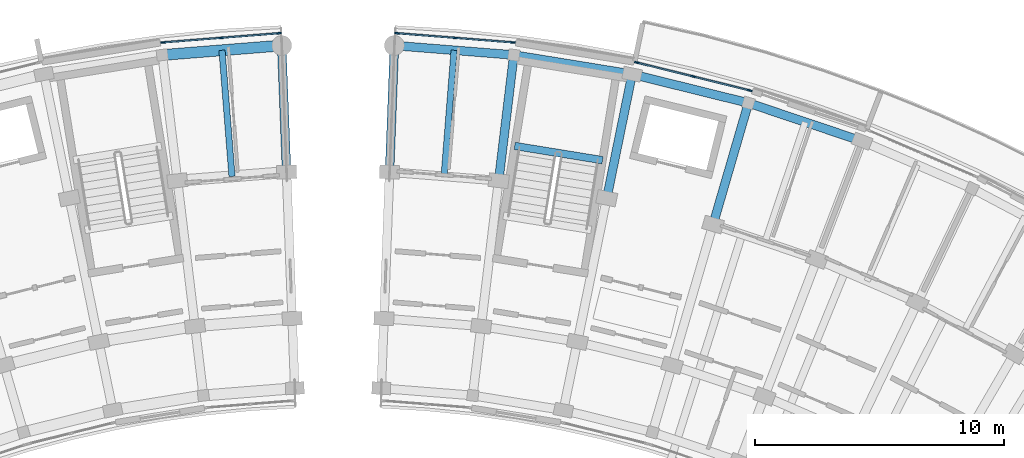
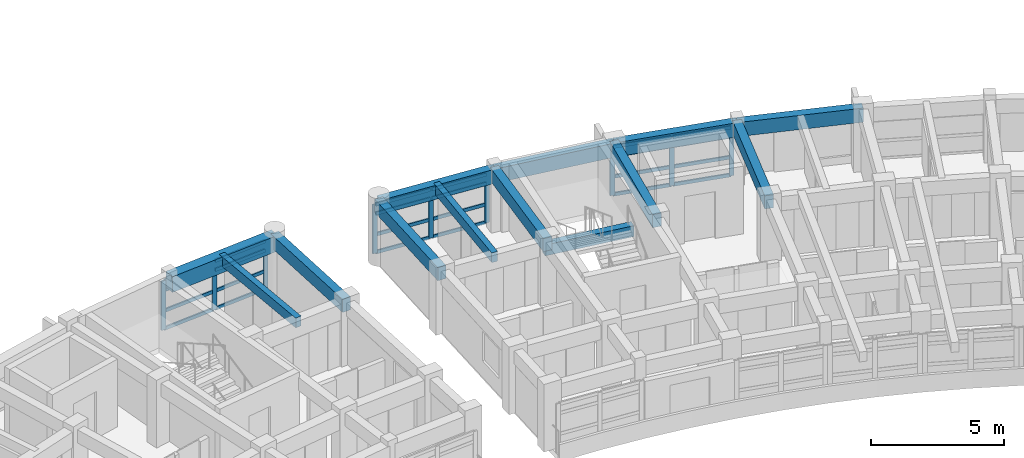
# One storey, part 8 of 54: 33 members, 13 beams, 3 elements without a shape of their own.
"""IFC4 building model written with IfcOpenShell, lengths in metres."""

from ifc_helpers import new_model, si_unit, direction, frame, origin, origin_2d, place, context, subcontext, project, spatial, rectangle, extrude, material, material_profile, profile_set, type_object, element, aggregate, save


model = new_model("IFC4")

# Units and contexts
model_context = context("Model", 3, precision=1e-05, world=origin(), true_north=direction((0.0, 1.0)))
body_context = subcontext(model_context, "Body", "Model", "MODEL_VIEW")
ifc_project = project(units=[si_unit("LENGTHUNIT", "METRE"), si_unit("AREAUNIT", "SQUARE_METRE"), si_unit("VOLUMEUNIT", "CUBIC_METRE"), si_unit("PLANEANGLEUNIT", "RADIAN"), si_unit("MASSUNIT", "GRAM", prefix="KILO")], contexts=[model_context])

# Site, building, storey
site_placement = place(None, origin())
site = spatial("IfcSite", under=ifc_project, at=site_placement, CompositionType="ELEMENT")
building_placement = place(site_placement, origin())
building = spatial("IfcBuilding", under=site, at=building_placement, Name="Zimvara Arc Housing Community", CompositionType="ELEMENT")
storey_placement = place(building_placement, frame((0.0, 0.0, 20.5)))
storey = spatial("IfcBuildingStorey", under=building, at=storey_placement, Name="L06", CompositionType="ELEMENT", Elevation=20.5)

# Beams
ifc_material_1 = material(Name="Concrete C40/50", Category="concrete")
ifc_material_profile_1 = material_profile(ifc_material_1, rectangle(XDim=0.25, YDim=0.449951171875, at=origin_2d()), Name="RC 250x450")
ifc_profile_set_1 = profile_set([ifc_material_profile_1], Name="Concrete C40/50")
beam_type_1 = type_object("IfcBeamType", Name="BM-RC-250x450", PredefinedType="JOIST", material=ifc_profile_set_1)
for number, where, z_axis, x_axis, name in (
    (1, (40.7451171875, 98.08642578125, 2.635009765625), (-0.079171686291, 0.99686099537, 0.0), (-0.99686099537, -0.079171686291, 0.0), "bm:blkA:L06:joist:b9"),
    (2, (49.2548828125, 98.08642578125, 2.635009765625), (0.079171686291, 0.99686099537, 0.0), (-0.99686099537, 0.079171686291, 0.0), "bm:blkB:L06:joist:b0"),
):
    element("IfcBeam", number, at=place(storey_placement, frame(where, z_axis=z_axis, x_axis=x_axis)), inside=storey, type_object=beam_type_1, Name=name, PredefinedType="JOIST", context=body_context, shape_type="SweptSolid", body=[
        extrude(rectangle(XDim=0.25, YDim=0.449951171875, at=origin_2d()), origin(), (0.0, 0.0, 1.0), 5.07568359375),
    ])
ifc_material_2 = material(Name="Concrete C40/50", Category="concrete")
ifc_material_profile_2 = material_profile(ifc_material_2, rectangle(XDim=0.300048828125, YDim=0.5, at=origin_2d()), Name="RC 300x500")
ifc_profile_set_2 = profile_set([ifc_material_profile_2], Name="Concrete C40/50")
beam_type_2 = type_object("IfcBeamType", Name="BM-RC-300x500", PredefinedType="BEAM", material=ifc_profile_set_2)
beam_1_placement = place(storey_placement, frame((55.612060546875, 98.7353515625, 1.300048828125), z_axis=(-0.987080057935, 0.160227835371, 0.0), x_axis=(-0.160227835371, -0.987080057935, 0.0)))
element("IfcBeam", 3, at=beam_1_placement, inside=storey, type_object=beam_type_2, Name="bm:stair_trim:ST-B1:L06:mid", PredefinedType="BEAM", context=body_context, shape_type="SweptSolid", body=[
    extrude(rectangle(XDim=0.300048828125, YDim=0.5, at=origin_2d()), origin(), (0.0, 0.0, 1.0), 3.570068359375),
])
ifc_material_3 = material(Name="Concrete C40/50", Category="concrete")
ifc_material_profile_3 = material_profile(ifc_material_3, rectangle(XDim=0.35009765625, YDim=0.60009765625, at=origin_2d()), Name="RC 350x600")
ifc_profile_set_3 = profile_set([ifc_material_profile_3], Name="Concrete C40/50")
beam_type_3 = type_object("IfcBeamType", Name="BM-RC-350x600", PredefinedType="BEAM", material=ifc_profile_set_3)
for number, where, z_axis, x_axis, name in (
    (4, (42.934814453125, 98.26025390625, 2.56005859375), (-0.038398054907, 0.999262522753, 0.0), (-0.999262522753, -0.038398054907, 0.0), "bm:blkA:L06:rad:b10:r23"),
    (5, (47.065185546875, 98.26025390625, 2.56005859375), (0.038398054907, 0.999262522753, 0.0), (-0.999262522753, 0.038398054907, 0.0), "bm:blkB:L06:rad:b0:r23"),
    (6, (51.44482421875, 97.91259765625, 2.56005859375), (0.119762990499, 0.99280251113, 0.0), (-0.99280251113, 0.119762990499, 0.0), "bm:blkB:L06:rad:b1:r23"),
):
    element("IfcBeam", number, at=place(storey_placement, frame(where, z_axis=z_axis, x_axis=x_axis)), inside=storey, type_object=beam_type_3, Name=name, PredefinedType="BEAM", context=body_context, shape_type="SweptSolid", body=[
        extrude(rectangle(XDim=0.35009765625, YDim=0.60009765625, at=origin_2d()), origin(), (0.0, 0.0, 1.0), 5.080078125),
    ])
for number, where, z_axis, x_axis, name in (
    (7, (55.78125, 97.208740234375, 2.56005859375), (0.200411962389, 0.97971171542, 0.0), (-0.97971171542, 0.200411962389, 0.0), "bm:blkB:L06:rad:b2:r23"),
    (8, (60.0458984375, 96.1533203125, 2.56005859375), (0.279662254096, 0.960098444762, 0.0), (-0.960098444762, 0.279662254096, 0.0), "bm:blkB:L06:rad:b3:r23"),
):
    element("IfcBeam", number, at=place(storey_placement, frame(where, z_axis=z_axis, x_axis=x_axis)), inside=storey, type_object=beam_type_3, Name=name, PredefinedType="BEAM", context=body_context, shape_type="SweptSolid", body=[
        extrude(rectangle(XDim=0.35009765625, YDim=0.60009765625, at=origin_2d()), origin(), (0.0, 0.0, 1.0), 5.079833984375),
    ])
ifc_material_4 = material(Name="Concrete C40/50", Category="concrete")
ifc_material_profile_4 = material_profile(ifc_material_4, rectangle(XDim=0.35009765625, YDim=0.64990234375, at=origin_2d()), Name="RC 350x650")
ifc_profile_set_4 = profile_set([ifc_material_profile_4], Name="Concrete C40/50")
beam_type_4 = type_object("IfcBeamType", Name="BM-RC-350x650", PredefinedType="BEAM", material=ifc_profile_set_4)
beam_2_placement = place(storey_placement, frame((47.26025390625, 103.336669921875, 2.534912109375), z_axis=(0.996861768207, -0.0791619548, 0.0), x_axis=(0.0791619548, 0.996861768207, 0.0)))
element("IfcBeam", 9, at=beam_2_placement, inside=storey, type_object=beam_type_4, Name="bm:blkB:L06:chord:r3:b0", PredefinedType="BEAM", context=body_context, shape_type="SweptSolid", body=[
    extrude(rectangle(XDim=0.35009765625, YDim=0.64990234375, at=origin_2d()), origin(), (0.0, 0.0, 1.0), 4.80810546875),
])
beam_3_placement = place(storey_placement, frame((52.05322265625, 102.9560546875, 2.534912109375), z_axis=(0.987076839731, -0.160247659784, 0.0), x_axis=(0.160247659784, 0.987076839731, 0.0)))
element("IfcBeam", 10, at=beam_3_placement, inside=storey, type_object=beam_type_4, Name="bm:blkB:L06:chord:r3:b1", PredefinedType="BEAM", context=body_context, shape_type="SweptSolid", body=[
    extrude(rectangle(XDim=0.35009765625, YDim=0.64990234375, at=origin_2d()), origin(), (0.0, 0.0, 1.0), 4.808349609375),
])
beam_4_placement = place(storey_placement, frame((56.79931640625, 102.185546875, 2.534912109375), z_axis=(0.970716235341, -0.240229037474, 0.0), x_axis=(0.240229037474, 0.970716235341, 0.0)))
element("IfcBeam", 11, at=beam_4_placement, inside=storey, type_object=beam_type_4, Name="bm:blkB:L06:chord:r3:b2", PredefinedType="BEAM", context=body_context, shape_type="SweptSolid", body=[
    extrude(rectangle(XDim=0.35009765625, YDim=0.64990234375, at=origin_2d()), origin(), (0.0, 0.0, 1.0), 4.80810546875),
])
beam_5_placement = place(storey_placement, frame((61.466552734375, 101.030517578125, 2.534912109375), z_axis=(0.947877948153, -0.31863363822, 0.0), x_axis=(0.31863363822, 0.947877948153, 0.0)))
element("IfcBeam", 12, at=beam_5_placement, inside=storey, type_object=beam_type_4, Name="bm:blkB:L06:chord:r3:b3", PredefinedType="BEAM", context=body_context, shape_type="SweptSolid", body=[
    extrude(rectangle(XDim=0.35009765625, YDim=0.64990234375, at=origin_2d()), origin(), (0.0, 0.0, 1.0), 4.807861328125),
])
ifc_material_5 = material(Name="Concrete C40/50", Category="concrete")
ifc_material_profile_5 = material_profile(ifc_material_5, rectangle(XDim=0.43994140625, YDim=0.719970703125, at=origin_2d()), Name="RC 440x720")
ifc_profile_set_5 = profile_set([ifc_material_profile_5], Name="Concrete C40/50")
beam_type_5 = type_object("IfcBeamType", Name="BM-RC-440x720", PredefinedType="BEAM", material=ifc_profile_set_5)
beam_6_placement = place(storey_placement, frame((37.94677734375, 102.9560546875, 2.5), z_axis=(0.996861768207, 0.0791619548, 0.0), x_axis=(-0.0791619548, 0.996861768207, 0.0)))
element("IfcBeam", 13, at=beam_6_placement, inside=storey, type_object=beam_type_5, Name="bm:blkA:L06:chord:r3:b9", PredefinedType="BEAM", context=body_context, shape_type="SweptSolid", body=[
    extrude(rectangle(XDim=0.43994140625, YDim=0.719970703125, at=origin_2d()), origin(), (0.0, 0.0, 1.0), 4.80810546875),
])

# Curtain wall, members
ifc_material_6 = material(Name="Anodised Aluminium AW-6063", Category="aluminium")
curtain_wall_type_1 = type_object("IfcCurtainWallType", Name="CW-SYS-05", PredefinedType="USERDEFINED", material=ifc_material_6)
curtain_wall_1_placement = place(storey_placement, origin())
curtain_wall_1 = element("IfcCurtainWall", 14, at=curtain_wall_1_placement, inside=storey, type_object=curtain_wall_type_1, Name="cw:blkA:L06:out:b9", ObjectType="CURTAIN WALL", PredefinedType="USERDEFINED")
ifc_material_7 = material(Name="Anodised Aluminium AW-6063", Category="aluminium")
ifc_material_profile_6 = material_profile(ifc_material_7, rectangle(XDim=0.06494140625, YDim=0.195068359375, at=origin_2d()), Name="ALU 65x195")
ifc_profile_set_6 = profile_set([ifc_material_profile_6], Name="Anodised Aluminium AW-6063")
member_type_1 = type_object("IfcMemberType", Name="CWM-65x180", PredefinedType="MULLION", material=ifc_profile_set_6)
member_1_placement = place(storey_placement, frame((37.97900390625, 103.459716796875, 0.0), z_axis=(0.0, 0.0, 1.0), x_axis=(-0.079153759607, 0.996862418963, 0.0)))
member_1 = element("IfcMember", 15, at=member_1_placement, type_object=member_type_1, Name="CW05 mullion 1", PredefinedType="MULLION", context=body_context, shape_type="SweptSolid", body=[
    extrude(rectangle(XDim=0.06494140625, YDim=0.195068359375, at=origin_2d()), origin(), (0.0, 0.0, 1.0), 2.25),
])
member_2_placement = place(storey_placement, frame((40.3037109375, 103.644287109375, 0.0), z_axis=(0.0, 0.0, 1.0), x_axis=(-0.079153759607, 0.996862418963, 0.0)))
member_2 = element("IfcMember", 16, at=member_2_placement, type_object=member_type_1, Name="CW05 mullion 2", PredefinedType="MULLION", context=body_context, shape_type="SweptSolid", body=[
    extrude(rectangle(XDim=0.06494140625, YDim=0.195068359375, at=origin_2d()), origin(), (0.0, 0.0, 1.0), 2.25),
])
member_3_placement = place(storey_placement, frame((42.62841796875, 103.828857421875, 0.0), z_axis=(0.0, 0.0, 1.0), x_axis=(-0.079153759607, 0.996862418963, 0.0)))
member_3 = element("IfcMember", 17, at=member_3_placement, type_object=member_type_1, Name="CW05 mullion 3", PredefinedType="MULLION", context=body_context, shape_type="SweptSolid", body=[
    extrude(rectangle(XDim=0.06494140625, YDim=0.195068359375, at=origin_2d()), origin(), (0.0, 0.0, 1.0), 2.25),
])

ifc_material_8 = material(Name="Anodised Aluminium AW-6063", Category="aluminium")
curtain_wall_type_2 = type_object("IfcCurtainWallType", Name="CW-SYS-01", PredefinedType="USERDEFINED", material=ifc_material_8)
curtain_wall_2_placement = place(storey_placement, origin())
curtain_wall_2 = element("IfcCurtainWall", 18, at=curtain_wall_2_placement, inside=storey, type_object=curtain_wall_type_2, Name="cw:blkB:L06:out:b0", ObjectType="CURTAIN WALL", PredefinedType="USERDEFINED")
member_4_placement = place(storey_placement, frame((47.37158203125, 103.828857421875, 0.0), z_axis=(0.0, 0.0, 1.0), x_axis=(0.079153759607, 0.996862418963, 0.0)))
member_4 = element("IfcMember", 19, at=member_4_placement, type_object=member_type_1, Name="CW01 mullion 1", PredefinedType="MULLION", context=body_context, shape_type="SweptSolid", body=[
    extrude(rectangle(XDim=0.06494140625, YDim=0.195068359375, at=origin_2d()), origin(), (0.0, 0.0, 1.0), 2.25),
])
member_5_placement = place(storey_placement, frame((49.6962890625, 103.644287109375, 0.0), z_axis=(0.0, 0.0, 1.0), x_axis=(0.079153759607, 0.996862418963, 0.0)))
member_5 = element("IfcMember", 20, at=member_5_placement, type_object=member_type_1, Name="CW01 mullion 2", PredefinedType="MULLION", context=body_context, shape_type="SweptSolid", body=[
    extrude(rectangle(XDim=0.06494140625, YDim=0.195068359375, at=origin_2d()), origin(), (0.0, 0.0, 1.0), 2.25),
])
member_6_placement = place(storey_placement, frame((52.02099609375, 103.459716796875, 0.0), z_axis=(0.0, 0.0, 1.0), x_axis=(0.079153759607, 0.996862418963, 0.0)))
member_6 = element("IfcMember", 21, at=member_6_placement, type_object=member_type_1, Name="CW01 mullion 3", PredefinedType="MULLION", context=body_context, shape_type="SweptSolid", body=[
    extrude(rectangle(XDim=0.06494140625, YDim=0.195068359375, at=origin_2d()), origin(), (0.0, 0.0, 1.0), 2.25),
])

ifc_material_9 = material(Name="Anodised Aluminium AW-6063", Category="aluminium")
curtain_wall_type_3 = type_object("IfcCurtainWallType", Name="CW-SYS-03", PredefinedType="USERDEFINED", material=ifc_material_9)
curtain_wall_3_placement = place(storey_placement, origin())
curtain_wall_3 = element("IfcCurtainWall", 22, at=curtain_wall_3_placement, inside=storey, type_object=curtain_wall_type_3, Name="cw:blkB:L06:out:b2", ObjectType="CURTAIN WALL", PredefinedType="USERDEFINED")
member_7_placement = place(storey_placement, frame((56.9892578125, 102.6533203125, 0.0), z_axis=(0.0, 0.0, 1.0), x_axis=(0.240229711131, 0.970716068627, 0.0)))
member_7 = element("IfcMember", 23, at=member_7_placement, type_object=member_type_1, Name="CW03 mullion 1", PredefinedType="MULLION", context=body_context, shape_type="SweptSolid", body=[
    extrude(rectangle(XDim=0.06494140625, YDim=0.195068359375, at=origin_2d()), origin(), (0.0, 0.0, 1.0), 2.25),
])
member_8_placement = place(storey_placement, frame((59.2529296875, 102.093017578125, 0.0), z_axis=(0.0, 0.0, 1.0), x_axis=(0.240229711131, 0.970716068627, 0.0)))
member_8 = element("IfcMember", 24, at=member_8_placement, type_object=member_type_1, Name="CW03 mullion 2", PredefinedType="MULLION", context=body_context, shape_type="SweptSolid", body=[
    extrude(rectangle(XDim=0.06494140625, YDim=0.195068359375, at=origin_2d()), origin(), (0.0, 0.0, 1.0), 2.25),
])
member_9_placement = place(storey_placement, frame((61.5166015625, 101.532958984375, 0.0), z_axis=(0.0, 0.0, 1.0), x_axis=(0.240229711131, 0.970716068627, 0.0)))
member_9 = element("IfcMember", 25, at=member_9_placement, type_object=member_type_1, Name="CW03 mullion 3", PredefinedType="MULLION", context=body_context, shape_type="SweptSolid", body=[
    extrude(rectangle(XDim=0.06494140625, YDim=0.195068359375, at=origin_2d()), origin(), (0.0, 0.0, 1.0), 2.25),
])

# Member
ifc_material_10 = material(Name="Anodised Aluminium AW-6063", Category="aluminium")
ifc_material_profile_7 = material_profile(ifc_material_10, rectangle(XDim=0.06494140625, YDim=0.155029296875, at=origin_2d()), Name="ALU 65x155")
ifc_profile_set_7 = profile_set([ifc_material_profile_7], Name="Anodised Aluminium AW-6063")
member_type_2 = type_object("IfcMemberType", Name="CWT-65x140", PredefinedType="USERDEFINED", material=ifc_profile_set_7)
member_10_placement = place(storey_placement, frame((38.011474609375, 103.46240234375, 0.032470703125), z_axis=(0.996862021022, 0.079158771116, 0.0), x_axis=(-0.079158771116, 0.996862021022, 0.0)))
member_10 = element("IfcMember", 26, at=member_10_placement, type_object=member_type_2, Name="CW05 transom 1.1", ObjectType="TRANSOM", PredefinedType="USERDEFINED", context=body_context, shape_type="SweptSolid", body=[
    extrude(rectangle(XDim=0.06494140625, YDim=0.155029296875, at=origin_2d()), origin(), (0.0, 0.0, 1.0), 2.266845703125),
])

member_11_placement = place(storey_placement, frame((38.011474609375, 103.46240234375, 0.85009765625), z_axis=(0.996862021022, 0.079158771116, 0.0), x_axis=(-0.079158771116, 0.996862021022, 0.0)))
member_11 = element("IfcMember", 27, at=member_11_placement, type_object=member_type_2, Name="CW05 transom 1.2", ObjectType="TRANSOM", PredefinedType="USERDEFINED", context=body_context, shape_type="SweptSolid", body=[
    extrude(rectangle(XDim=0.06494140625, YDim=0.155029296875, at=origin_2d()), origin(), (0.0, 0.0, 1.0), 2.266845703125),
])

member_12_placement = place(storey_placement, frame((38.011474609375, 103.46240234375, 1.800048828125), z_axis=(0.996862021022, 0.079158771116, 0.0), x_axis=(-0.079158771116, 0.996862021022, 0.0)))
member_12 = element("IfcMember", 28, at=member_12_placement, type_object=member_type_2, Name="CW05 transom 1.3", ObjectType="TRANSOM", PredefinedType="USERDEFINED", context=body_context, shape_type="SweptSolid", body=[
    extrude(rectangle(XDim=0.06494140625, YDim=0.155029296875, at=origin_2d()), origin(), (0.0, 0.0, 1.0), 2.266845703125),
])

member_13_placement = place(storey_placement, frame((38.011474609375, 103.46240234375, 2.217529296875), z_axis=(0.996862021022, 0.079158771116, 0.0), x_axis=(-0.079158771116, 0.996862021022, 0.0)))
member_13 = element("IfcMember", 29, at=member_13_placement, type_object=member_type_2, Name="CW05 transom 1.4", ObjectType="TRANSOM", PredefinedType="USERDEFINED", context=body_context, shape_type="SweptSolid", body=[
    extrude(rectangle(XDim=0.06494140625, YDim=0.155029296875, at=origin_2d()), origin(), (0.0, 0.0, 1.0), 2.266845703125),
])

member_14_placement = place(storey_placement, frame((40.336181640625, 103.64697265625, 0.032470703125), z_axis=(0.996862021022, 0.079158771116, 0.0), x_axis=(-0.079158771116, 0.996862021022, 0.0)))
member_14 = element("IfcMember", 30, at=member_14_placement, type_object=member_type_2, Name="CW05 transom 2.1", ObjectType="TRANSOM", PredefinedType="USERDEFINED", context=body_context, shape_type="SweptSolid", body=[
    extrude(rectangle(XDim=0.06494140625, YDim=0.155029296875, at=origin_2d()), origin(), (0.0, 0.0, 1.0), 2.266845703125),
])

member_15_placement = place(storey_placement, frame((40.336181640625, 103.64697265625, 0.85009765625), z_axis=(0.996862021022, 0.079158771116, 0.0), x_axis=(-0.079158771116, 0.996862021022, 0.0)))
member_15 = element("IfcMember", 31, at=member_15_placement, type_object=member_type_2, Name="CW05 transom 2.2", ObjectType="TRANSOM", PredefinedType="USERDEFINED", context=body_context, shape_type="SweptSolid", body=[
    extrude(rectangle(XDim=0.06494140625, YDim=0.155029296875, at=origin_2d()), origin(), (0.0, 0.0, 1.0), 2.266845703125),
])

member_16_placement = place(storey_placement, frame((40.336181640625, 103.64697265625, 1.800048828125), z_axis=(0.996862021022, 0.079158771116, 0.0), x_axis=(-0.079158771116, 0.996862021022, 0.0)))
member_16 = element("IfcMember", 32, at=member_16_placement, type_object=member_type_2, Name="CW05 transom 2.3", ObjectType="TRANSOM", PredefinedType="USERDEFINED", context=body_context, shape_type="SweptSolid", body=[
    extrude(rectangle(XDim=0.06494140625, YDim=0.155029296875, at=origin_2d()), origin(), (0.0, 0.0, 1.0), 2.266845703125),
])

member_17_placement = place(storey_placement, frame((40.336181640625, 103.64697265625, 2.217529296875), z_axis=(0.996862021022, 0.079158771116, 0.0), x_axis=(-0.079158771116, 0.996862021022, 0.0)))
member_17 = element("IfcMember", 33, at=member_17_placement, type_object=member_type_2, Name="CW05 transom 2.4", ObjectType="TRANSOM", PredefinedType="USERDEFINED", context=body_context, shape_type="SweptSolid", body=[
    extrude(rectangle(XDim=0.06494140625, YDim=0.155029296875, at=origin_2d()), origin(), (0.0, 0.0, 1.0), 2.266845703125),
])

aggregate(curtain_wall_1, [member_1, member_2, member_3, member_10, member_11, member_12, member_13, member_14, member_15, member_16, member_17])

member_18_placement = place(storey_placement, frame((47.404052734375, 103.826416015625, 0.032470703125), z_axis=(0.996862021022, -0.079158771116, 0.0), x_axis=(0.079158771116, 0.996862021022, 0.0)))
member_18 = element("IfcMember", 34, at=member_18_placement, type_object=member_type_2, Name="CW01 transom 1.1", ObjectType="TRANSOM", PredefinedType="USERDEFINED", context=body_context, shape_type="SweptSolid", body=[
    extrude(rectangle(XDim=0.06494140625, YDim=0.155029296875, at=origin_2d()), origin(), (0.0, 0.0, 1.0), 2.266845703125),
])

member_19_placement = place(storey_placement, frame((47.404052734375, 103.826416015625, 0.85009765625), z_axis=(0.996862021022, -0.079158771116, 0.0), x_axis=(0.079158771116, 0.996862021022, 0.0)))
member_19 = element("IfcMember", 35, at=member_19_placement, type_object=member_type_2, Name="CW01 transom 1.2", ObjectType="TRANSOM", PredefinedType="USERDEFINED", context=body_context, shape_type="SweptSolid", body=[
    extrude(rectangle(XDim=0.06494140625, YDim=0.155029296875, at=origin_2d()), origin(), (0.0, 0.0, 1.0), 2.266845703125),
])

member_20_placement = place(storey_placement, frame((47.404052734375, 103.826416015625, 1.800048828125), z_axis=(0.996862021022, -0.079158771116, 0.0), x_axis=(0.079158771116, 0.996862021022, 0.0)))
member_20 = element("IfcMember", 36, at=member_20_placement, type_object=member_type_2, Name="CW01 transom 1.3", ObjectType="TRANSOM", PredefinedType="USERDEFINED", context=body_context, shape_type="SweptSolid", body=[
    extrude(rectangle(XDim=0.06494140625, YDim=0.155029296875, at=origin_2d()), origin(), (0.0, 0.0, 1.0), 2.266845703125),
])

member_21_placement = place(storey_placement, frame((47.404052734375, 103.826416015625, 2.217529296875), z_axis=(0.996862021022, -0.079158771116, 0.0), x_axis=(0.079158771116, 0.996862021022, 0.0)))
member_21 = element("IfcMember", 37, at=member_21_placement, type_object=member_type_2, Name="CW01 transom 1.4", ObjectType="TRANSOM", PredefinedType="USERDEFINED", context=body_context, shape_type="SweptSolid", body=[
    extrude(rectangle(XDim=0.06494140625, YDim=0.155029296875, at=origin_2d()), origin(), (0.0, 0.0, 1.0), 2.266845703125),
])

member_22_placement = place(storey_placement, frame((49.728759765625, 103.641845703125, 0.032470703125), z_axis=(0.996862021022, -0.079158771116, 0.0), x_axis=(0.079158771116, 0.996862021022, 0.0)))
member_22 = element("IfcMember", 38, at=member_22_placement, type_object=member_type_2, Name="CW01 transom 2.1", ObjectType="TRANSOM", PredefinedType="USERDEFINED", context=body_context, shape_type="SweptSolid", body=[
    extrude(rectangle(XDim=0.06494140625, YDim=0.155029296875, at=origin_2d()), origin(), (0.0, 0.0, 1.0), 2.266845703125),
])

member_23_placement = place(storey_placement, frame((49.728759765625, 103.641845703125, 0.85009765625), z_axis=(0.996862021022, -0.079158771116, 0.0), x_axis=(0.079158771116, 0.996862021022, 0.0)))
member_23 = element("IfcMember", 39, at=member_23_placement, type_object=member_type_2, Name="CW01 transom 2.2", ObjectType="TRANSOM", PredefinedType="USERDEFINED", context=body_context, shape_type="SweptSolid", body=[
    extrude(rectangle(XDim=0.06494140625, YDim=0.155029296875, at=origin_2d()), origin(), (0.0, 0.0, 1.0), 2.266845703125),
])

member_24_placement = place(storey_placement, frame((49.728759765625, 103.641845703125, 1.800048828125), z_axis=(0.996862021022, -0.079158771116, 0.0), x_axis=(0.079158771116, 0.996862021022, 0.0)))
member_24 = element("IfcMember", 40, at=member_24_placement, type_object=member_type_2, Name="CW01 transom 2.3", ObjectType="TRANSOM", PredefinedType="USERDEFINED", context=body_context, shape_type="SweptSolid", body=[
    extrude(rectangle(XDim=0.06494140625, YDim=0.155029296875, at=origin_2d()), origin(), (0.0, 0.0, 1.0), 2.266845703125),
])

member_25_placement = place(storey_placement, frame((49.728759765625, 103.641845703125, 2.217529296875), z_axis=(0.996862021022, -0.079158771116, 0.0), x_axis=(0.079158771116, 0.996862021022, 0.0)))
member_25 = element("IfcMember", 41, at=member_25_placement, type_object=member_type_2, Name="CW01 transom 2.4", ObjectType="TRANSOM", PredefinedType="USERDEFINED", context=body_context, shape_type="SweptSolid", body=[
    extrude(rectangle(XDim=0.06494140625, YDim=0.155029296875, at=origin_2d()), origin(), (0.0, 0.0, 1.0), 2.266845703125),
])

aggregate(curtain_wall_2, [member_4, member_5, member_6, member_18, member_19, member_20, member_21, member_22, member_23, member_24, member_25])

member_26_placement = place(storey_placement, frame((57.020751953125, 102.6455078125, 0.032470703125), z_axis=(0.970703721793, -0.240279596507, 0.0), x_axis=(0.240279596507, 0.970703721793, 0.0)))
member_26 = element("IfcMember", 42, at=member_26_placement, type_object=member_type_2, Name="CW03 transom 1.1", ObjectType="TRANSOM", PredefinedType="USERDEFINED", context=body_context, shape_type="SweptSolid", body=[
    extrude(rectangle(XDim=0.06494140625, YDim=0.155029296875, at=origin_2d()), origin(), (0.0, 0.0, 1.0), 2.266845703125),
])

member_27_placement = place(storey_placement, frame((57.020751953125, 102.6455078125, 0.85009765625), z_axis=(0.970703721793, -0.240279596507, 0.0), x_axis=(0.240279596507, 0.970703721793, 0.0)))
member_27 = element("IfcMember", 43, at=member_27_placement, type_object=member_type_2, Name="CW03 transom 1.2", ObjectType="TRANSOM", PredefinedType="USERDEFINED", context=body_context, shape_type="SweptSolid", body=[
    extrude(rectangle(XDim=0.06494140625, YDim=0.155029296875, at=origin_2d()), origin(), (0.0, 0.0, 1.0), 2.266845703125),
])

member_28_placement = place(storey_placement, frame((57.020751953125, 102.6455078125, 1.800048828125), z_axis=(0.970703721793, -0.240279596507, 0.0), x_axis=(0.240279596507, 0.970703721793, 0.0)))
member_28 = element("IfcMember", 44, at=member_28_placement, type_object=member_type_2, Name="CW03 transom 1.3", ObjectType="TRANSOM", PredefinedType="USERDEFINED", context=body_context, shape_type="SweptSolid", body=[
    extrude(rectangle(XDim=0.06494140625, YDim=0.155029296875, at=origin_2d()), origin(), (0.0, 0.0, 1.0), 2.266845703125),
])

member_29_placement = place(storey_placement, frame((57.020751953125, 102.6455078125, 2.217529296875), z_axis=(0.970703721793, -0.240279596507, 0.0), x_axis=(0.240279596507, 0.970703721793, 0.0)))
member_29 = element("IfcMember", 45, at=member_29_placement, type_object=member_type_2, Name="CW03 transom 1.4", ObjectType="TRANSOM", PredefinedType="USERDEFINED", context=body_context, shape_type="SweptSolid", body=[
    extrude(rectangle(XDim=0.06494140625, YDim=0.155029296875, at=origin_2d()), origin(), (0.0, 0.0, 1.0), 2.266845703125),
])

member_30_placement = place(storey_placement, frame((59.284423828125, 102.085205078125, 0.032470703125), z_axis=(0.970728837212, -0.240178110172, 0.0), x_axis=(0.240178110172, 0.970728837212, 0.0)))
member_30 = element("IfcMember", 46, at=member_30_placement, type_object=member_type_2, Name="CW03 transom 2.1", ObjectType="TRANSOM", PredefinedType="USERDEFINED", context=body_context, shape_type="SweptSolid", body=[
    extrude(rectangle(XDim=0.06494140625, YDim=0.155029296875, at=origin_2d()), origin(), (0.0, 0.0, 1.0), 2.266845703125),
])

member_31_placement = place(storey_placement, frame((59.284423828125, 102.085205078125, 0.85009765625), z_axis=(0.970728837212, -0.240178110172, 0.0), x_axis=(0.240178110172, 0.970728837212, 0.0)))
member_31 = element("IfcMember", 47, at=member_31_placement, type_object=member_type_2, Name="CW03 transom 2.2", ObjectType="TRANSOM", PredefinedType="USERDEFINED", context=body_context, shape_type="SweptSolid", body=[
    extrude(rectangle(XDim=0.06494140625, YDim=0.155029296875, at=origin_2d()), origin(), (0.0, 0.0, 1.0), 2.266845703125),
])

member_32_placement = place(storey_placement, frame((59.284423828125, 102.085205078125, 1.800048828125), z_axis=(0.970728837212, -0.240178110172, 0.0), x_axis=(0.240178110172, 0.970728837212, 0.0)))
member_32 = element("IfcMember", 48, at=member_32_placement, type_object=member_type_2, Name="CW03 transom 2.3", ObjectType="TRANSOM", PredefinedType="USERDEFINED", context=body_context, shape_type="SweptSolid", body=[
    extrude(rectangle(XDim=0.06494140625, YDim=0.155029296875, at=origin_2d()), origin(), (0.0, 0.0, 1.0), 2.266845703125),
])

member_33_placement = place(storey_placement, frame((59.284423828125, 102.085205078125, 2.217529296875), z_axis=(0.970728837212, -0.240178110172, 0.0), x_axis=(0.240178110172, 0.970728837212, 0.0)))
member_33 = element("IfcMember", 49, at=member_33_placement, type_object=member_type_2, Name="CW03 transom 2.4", ObjectType="TRANSOM", PredefinedType="USERDEFINED", context=body_context, shape_type="SweptSolid", body=[
    extrude(rectangle(XDim=0.06494140625, YDim=0.155029296875, at=origin_2d()), origin(), (0.0, 0.0, 1.0), 2.266845703125),
])

aggregate(curtain_wall_3, [member_7, member_8, member_9, member_26, member_27, member_28, member_29, member_30, member_31, member_32, member_33])

save(model, "model.ifc")
